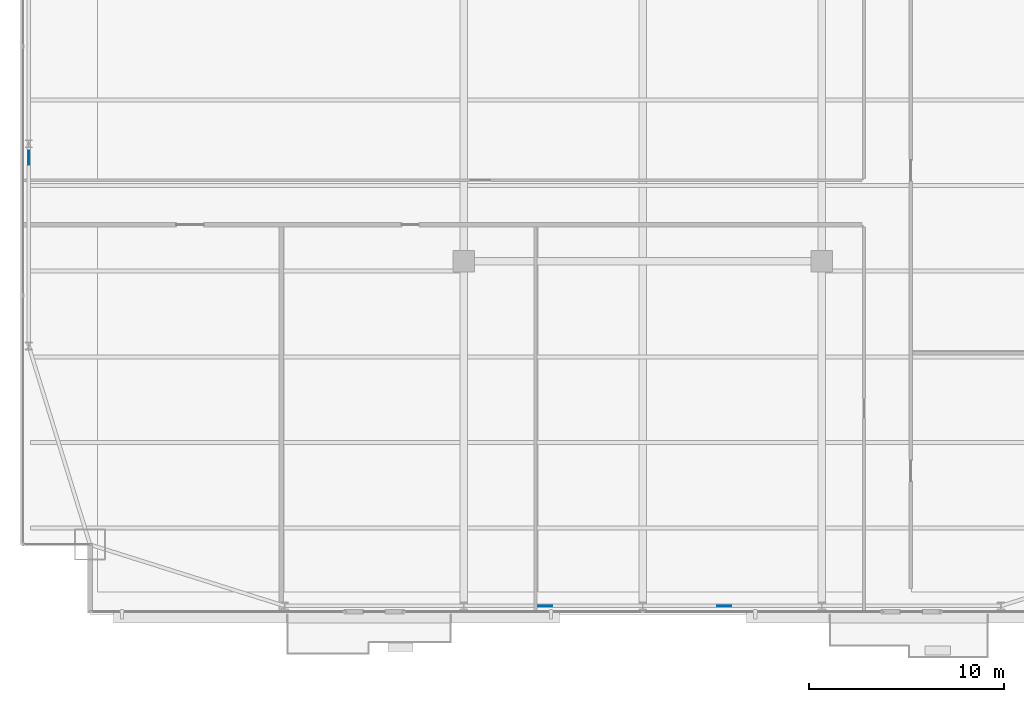
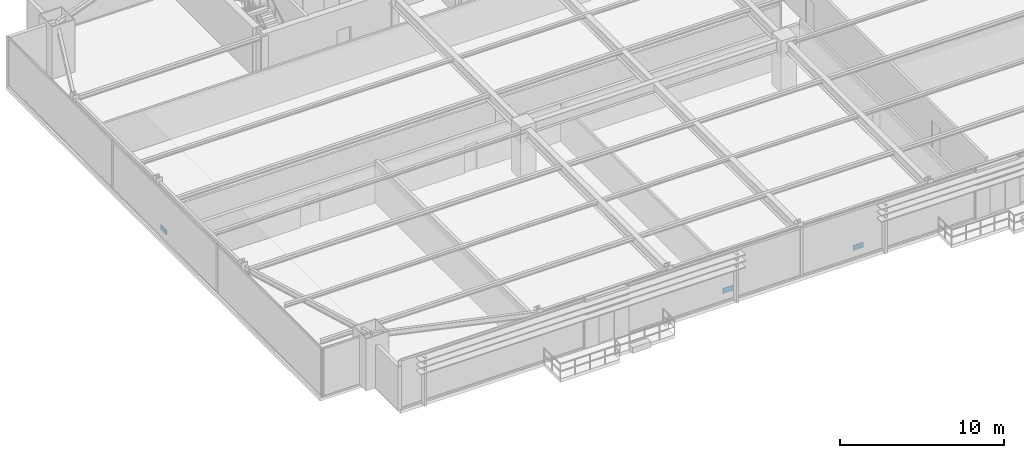
# One storey, part 25 of 31: 3 plates.
"""IFC4 building model written with IfcOpenShell, lengths in metres."""

from ifc_helpers import new_model, si_unit, direction, frame, origin, origin_2d, place, context, subcontext, project, spatial, rectangle, extrude, source, transform, mapped, material, layer, layer_set, type_object, type_shapes, element, save


model = new_model("IFC4")

# Units and contexts
model_context = context("Model", 3, precision=1e-05, world=origin(), true_north=direction((0.0, 1.0)))
body_context = subcontext(model_context, "Body", "Model", "MODEL_VIEW")
ifc_project = project(units=[si_unit("LENGTHUNIT", "METRE"), si_unit("AREAUNIT", "SQUARE_METRE"), si_unit("VOLUMEUNIT", "CUBIC_METRE"), si_unit("PLANEANGLEUNIT", "RADIAN"), si_unit("MASSUNIT", "GRAM", prefix="KILO")], contexts=[model_context])

# Site, building, storey
site_placement = place(None, origin())
site = spatial("IfcSite", under=ifc_project, at=site_placement, CompositionType="ELEMENT")
building_placement = place(site_placement, origin())
building = spatial("IfcBuilding", under=site, at=building_placement, Name="Varnel Quay Broadcast Tower", CompositionType="ELEMENT")
storey_placement = place(building_placement, frame((0.0, 0.0, 51.0)))
storey = spatial("IfcBuildingStorey", under=building, at=storey_placement, Name="L11", CompositionType="ELEMENT", Elevation=51.0)

# Plates
ifc_material = material(Name="Structural Steel CSA G40.21 350WT", Category="steel")
ifc_layer = layer(ifc_material, 0.031982421875, Name="Structural Steel CSA G40.21 350WT")
ifc_layer_set = layer_set([ifc_layer], Name="Structural Steel CSA G40.21 350WT")
plate_type = type_object("IfcPlateType", Name="Plate_EndCap", PredefinedType="USERDEFINED", material=ifc_layer_set)
shared_shape = source(origin(), body_context, "Body", "SweptSolid", [
    extrude(rectangle(XDim=0.719970703125, YDim=0.031982421875, at=origin_2d()), origin(), (0.0, 0.0, 1.0), 0.3798828125),
])
type_shapes(plate_type, [shared_shape])
for number, where, z_axis, x_axis, name in (
    (1, (28.9873046875, 1.64990234375, 0.3720703125), (0.0, 0.0, 1.0), (1.0, 0.0, 0.0), "Zone 1 Mega-Brace S-C1T2 Diag B2 End Connection Plate P0"),
    (2, (38.187255859375, 1.64990234375, 0.3720703125), (0.0, 0.0, 1.0), (1.0, 0.0, 0.0), "Zone 1 Mega-Brace S-C2T2 Diag B2 End Connection Plate P0"),
    (3, (2.449951171875, 24.681640625, 0.144775390625), (0.0, 0.0, 1.0), (0.0, 1.0, 0.0), "Zone 1 Mega-Brace W-FT2 Diag B2 End Connection Plate P0"),
):
    element("IfcPlate", number, at=place(storey_placement, frame(where, z_axis=z_axis, x_axis=x_axis)), inside=storey, type_object=plate_type, Name=name, ObjectType="CAP_PLATE", PredefinedType="USERDEFINED", context=body_context, shape_type="MappedRepresentation", body=[
        mapped(shared_shape, transform((0.0, 0.0, 0.0), x_axis=(1.0, 0.0, 0.0), y_axis=(0.0, 1.0, 0.0), z_axis=(0.0, 0.0, 1.0), scale=1.0)),
    ])

save(model, "model.ifc")
